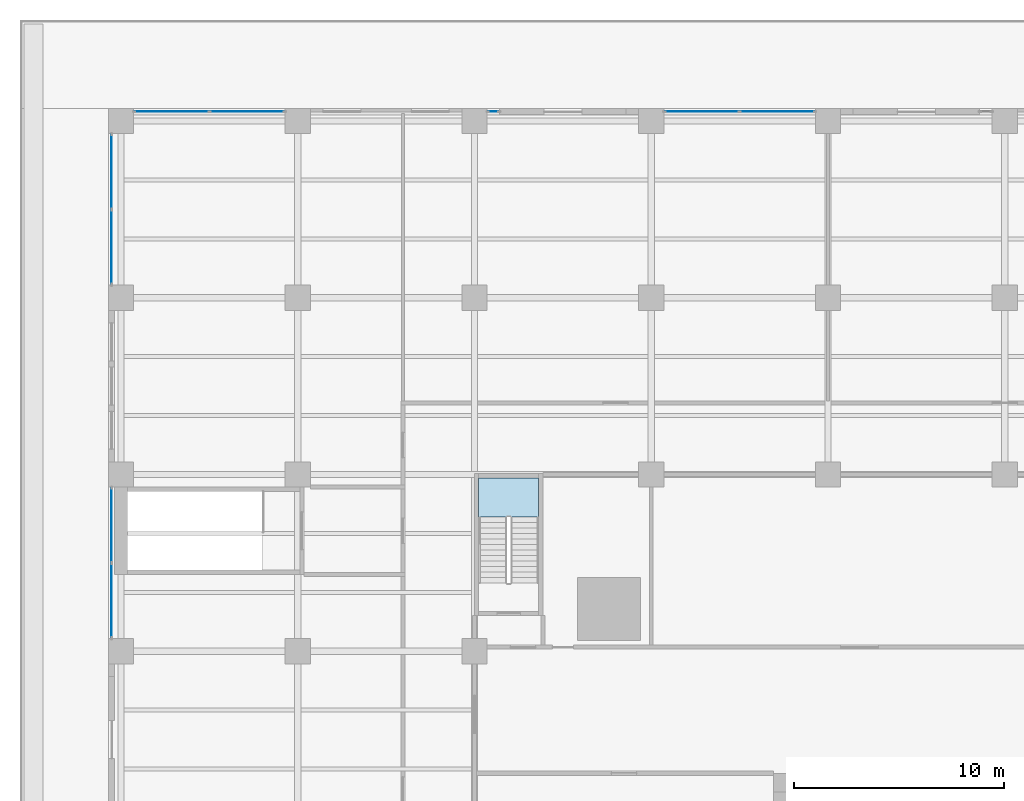
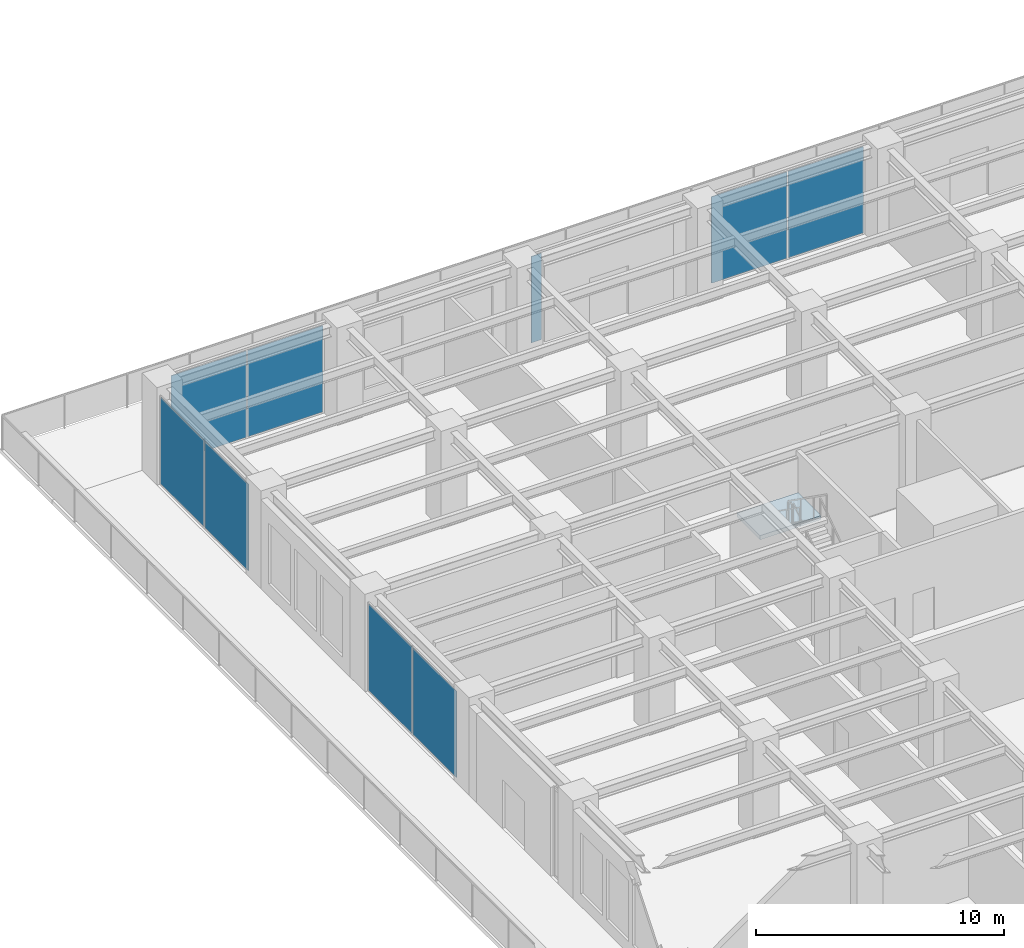
# One storey, part 31 of 53: 9 plates, 1 slab, 6 elements without a shape of their own.
"""IFC4 building model written with IfcOpenShell, lengths in metres."""

from ifc_helpers import new_model, si_unit, direction, frame, origin, origin_2d, place, context, subcontext, project, spatial, polyline, rectangle, outline, extrude, material, layer, layer_set, type_object, element, aggregate, save


model = new_model("IFC4")

# Units and contexts
model_context = context("Model", 3, precision=1e-05, world=origin(), true_north=direction((0.0, 1.0)))
body_context = subcontext(model_context, "Body", "Model", "MODEL_VIEW")
ifc_project = project(units=[si_unit("LENGTHUNIT", "METRE"), si_unit("AREAUNIT", "SQUARE_METRE"), si_unit("VOLUMEUNIT", "CUBIC_METRE"), si_unit("PLANEANGLEUNIT", "RADIAN"), si_unit("MASSUNIT", "GRAM", prefix="KILO")], contexts=[model_context])

# Site, building, storey
site_placement = place(None, origin())
site = spatial("IfcSite", under=ifc_project, at=site_placement, CompositionType="ELEMENT")
building_placement = place(site_placement, origin())
building = spatial("IfcBuilding", under=site, at=building_placement, Name="Khepri Terraces", CompositionType="ELEMENT")
storey_placement = place(building_placement, frame((0.0, 0.0, 7.199951171875)))
storey = spatial("IfcBuildingStorey", under=building, at=storey_placement, Name="L01", CompositionType="ELEMENT", Elevation=7.199951171875)

# Curtain wall, plates
ifc_material_1 = material(Name="Anodised aluminium bronze curtain wall", Category="aluminium")
curtain_wall_type = type_object("IfcCurtainWallType", Name="CW-SYS2-PODIUM", PredefinedType="NOTDEFINED", material=ifc_material_1)
curtain_wall_1_placement = place(storey_placement, origin())
curtain_wall_1 = element("IfcCurtainWall", 1, at=curtain_wall_1_placement, inside=storey, type_object=curtain_wall_type, Name="Curtain wall CW2 L01 N", PredefinedType="NOTDEFINED")
ifc_material_2 = material(Name="Clear glass", Category="glass")
ifc_layer_1 = layer(ifc_material_2, 0.028076171875, Name="Clear glass", Category="glass")
ifc_layer_set_1 = layer_set([ifc_layer_1], Name="Clear glass")
plate_type = type_object("IfcPlateType", Name="CW-PANEL-VISION-28", PredefinedType="CURTAIN_PANEL", material=ifc_layer_set_1)
plate_1_placement = place(storey_placement, frame((-10.81494140625, 42.449951171875, 0.06005859375), z_axis=(0.0, 0.0, 1.0), x_axis=(-1.0, 0.0, 0.0)))
plate_1 = element("IfcPlate", 2, at=plate_1_placement, type_object=plate_type, Name="CW2 panel 1.1", PredefinedType="CURTAIN_PANEL", context=body_context, shape_type="SweptSolid", body=[
    extrude(rectangle(XDim=3.510009765625, YDim=0.028076171875, at=origin_2d()), origin(), (0.0, 0.0, 1.0), 4.260009765625),
])
plate_2_placement = place(storey_placement, frame((-14.385009765625, 42.449951171875, 0.06005859375), z_axis=(0.0, 0.0, 1.0), x_axis=(-1.0, 0.0, 0.0)))
plate_2 = element("IfcPlate", 3, at=plate_2_placement, type_object=plate_type, Name="CW2 panel 2.1", PredefinedType="CURTAIN_PANEL", context=body_context, shape_type="SweptSolid", body=[
    extrude(rectangle(XDim=3.510009765625, YDim=0.028076171875, at=origin_2d()), origin(), (0.0, 0.0, 1.0), 4.260009765625),
])
aggregate(curtain_wall_1, [plate_1, plate_2])

# Curtain wall, plate
curtain_wall_2_placement = place(storey_placement, origin())
curtain_wall_2 = element("IfcCurtainWall", 4, at=curtain_wall_2_placement, inside=storey, type_object=curtain_wall_type, Name="Curtain wall CW2 L01 N", PredefinedType="NOTDEFINED")
plate_3_placement = place(storey_placement, frame((-24.300048828125, 42.449951171875, 0.06005859375), z_axis=(0.0, 0.0, 1.0), x_axis=(-1.0, 0.0, 0.0)))
plate_3 = element("IfcPlate", 5, at=plate_3_placement, type_object=plate_type, Name="CW2 panel 1.1", PredefinedType="CURTAIN_PANEL", context=body_context, shape_type="SweptSolid", body=[
    extrude(rectangle(XDim=0.47998046875, YDim=0.028076171875, at=origin_2d()), origin(), (0.0, 0.0, 1.0), 4.260009765625),
])
aggregate(curtain_wall_2, [plate_3])

# Curtain wall, plates
curtain_wall_3_placement = place(storey_placement, origin())
curtain_wall_3 = element("IfcCurtainWall", 6, at=curtain_wall_3_placement, inside=storey, type_object=curtain_wall_type, Name="Curtain wall CW2 L01 N", PredefinedType="NOTDEFINED")
plate_4_placement = place(storey_placement, frame((-36.014892578125, 42.449951171875, 0.06005859375), z_axis=(0.0, 0.0, 1.0), x_axis=(-1.0, 0.0, 0.0)))
plate_4 = element("IfcPlate", 7, at=plate_4_placement, type_object=plate_type, Name="CW2 panel 1.1", PredefinedType="CURTAIN_PANEL", context=body_context, shape_type="SweptSolid", body=[
    extrude(rectangle(XDim=3.510009765625, YDim=0.028076171875, at=origin_2d()), origin(), (0.0, 0.0, 1.0), 4.260009765625),
])
plate_5_placement = place(storey_placement, frame((-39.5849609375, 42.449951171875, 0.06005859375), z_axis=(0.0, 0.0, 1.0), x_axis=(-1.0, 0.0, 0.0)))
plate_5 = element("IfcPlate", 8, at=plate_5_placement, type_object=plate_type, Name="CW2 panel 2.1", PredefinedType="CURTAIN_PANEL", context=body_context, shape_type="SweptSolid", body=[
    extrude(rectangle(XDim=3.510009765625, YDim=0.028076171875, at=origin_2d()), origin(), (0.0, 0.0, 1.0), 4.260009765625),
])
aggregate(curtain_wall_3, [plate_4, plate_5])

curtain_wall_4_placement = place(storey_placement, origin())
curtain_wall_4 = element("IfcCurtainWall", 9, at=curtain_wall_4_placement, inside=storey, type_object=curtain_wall_type, Name="Curtain wall CW2 L01 W", PredefinedType="NOTDEFINED")
plate_6_placement = place(storey_placement, frame((-42.449951171875, 39.5849609375, 0.06005859375), z_axis=(0.0, 0.0, 1.0), x_axis=(0.0, -1.0, 0.0)))
plate_6 = element("IfcPlate", 10, at=plate_6_placement, type_object=plate_type, Name="CW2 panel 1.1", PredefinedType="CURTAIN_PANEL", context=body_context, shape_type="SweptSolid", body=[
    extrude(rectangle(XDim=3.510009765625, YDim=0.028076171875, at=origin_2d()), origin(), (0.0, 0.0, 1.0), 4.260009765625),
])
plate_7_placement = place(storey_placement, frame((-42.449951171875, 36.014892578125, 0.06005859375), z_axis=(0.0, 0.0, 1.0), x_axis=(0.0, -1.0, 0.0)))
plate_7 = element("IfcPlate", 11, at=plate_7_placement, type_object=plate_type, Name="CW2 panel 2.1", PredefinedType="CURTAIN_PANEL", context=body_context, shape_type="SweptSolid", body=[
    extrude(rectangle(XDim=3.510009765625, YDim=0.028076171875, at=origin_2d()), origin(), (0.0, 0.0, 1.0), 4.260009765625),
])
aggregate(curtain_wall_4, [plate_6, plate_7])

curtain_wall_5_placement = place(storey_placement, origin())
curtain_wall_5 = element("IfcCurtainWall", 12, at=curtain_wall_5_placement, inside=storey, type_object=curtain_wall_type, Name="Curtain wall CW2 L01 W", PredefinedType="NOTDEFINED")
plate_8_placement = place(storey_placement, frame((-42.449951171875, 22.784912109375, 0.06005859375), z_axis=(0.0, 0.0, 1.0), x_axis=(0.0, -1.0, 0.0)))
plate_8 = element("IfcPlate", 13, at=plate_8_placement, type_object=plate_type, Name="CW2 panel 1.1", PredefinedType="CURTAIN_PANEL", context=body_context, shape_type="SweptSolid", body=[
    extrude(rectangle(XDim=3.510009765625, YDim=0.028076171875, at=origin_2d()), origin(), (0.0, 0.0, 1.0), 4.260009765625),
])
plate_9_placement = place(storey_placement, frame((-42.449951171875, 19.215087890625, 0.06005859375), z_axis=(0.0, 0.0, 1.0), x_axis=(0.0, -1.0, 0.0)))
plate_9 = element("IfcPlate", 14, at=plate_9_placement, type_object=plate_type, Name="CW2 panel 2.1", PredefinedType="CURTAIN_PANEL", context=body_context, shape_type="SweptSolid", body=[
    extrude(rectangle(XDim=3.510009765625, YDim=0.028076171875, at=origin_2d()), origin(), (0.0, 0.0, 1.0), 4.260009765625),
])
aggregate(curtain_wall_5, [plate_8, plate_9])

# Stair, slab
ifc_material_3 = material(Name="Concrete C40/50", Category="concrete")
stair_type = type_object("IfcStairType", Name="ST-POD", PredefinedType="HALF_TURN_STAIR", material=ifc_material_3)
stair_placement = place(storey_placement, origin())
stair = element("IfcStair", 15, at=stair_placement, inside=storey, type_object=stair_type, Name="L01 Exit Stair PS-2", PredefinedType="HALF_TURN_STAIR")
ifc_layer_2 = layer(ifc_material_3, 0.199951171875, Name="Concrete C40/50", Category="concrete")
ifc_layer_set_2 = layer_set([ifc_layer_2], Name="Concrete C40/50")
slab_type = type_object("IfcSlabType", Name="SL-POD", PredefinedType="LANDING", material=ifc_layer_set_2)
slab_placement = place(storey_placement, frame((0.0, 0.0, 2.199951171875)))
slab = element("IfcSlab", 16, at=slab_placement, type_object=slab_type, Name="PS-2 landing 1", PredefinedType="LANDING", context=body_context, shape_type="SweptSolid", body=[
    extrude(outline(polyline([(-22.14990234375, 23.169921875), (-22.14990234375, 25.0400390625), (-25.0, 25.0400390625), (-25.0, 23.169921875), (-22.14990234375, 23.169921875)])), origin(), (0.0, 0.0, 1.0), 0.2001953125),
])
aggregate(stair, [slab])

save(model, "model.ifc")
